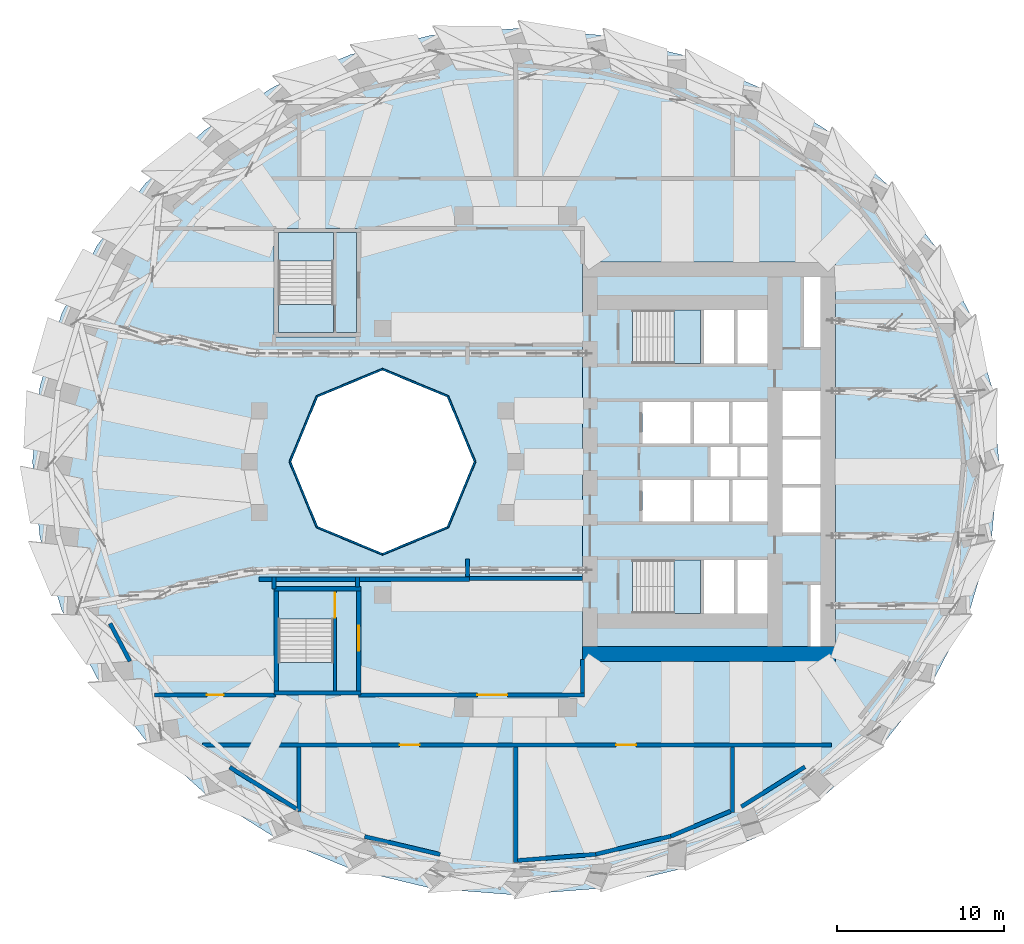
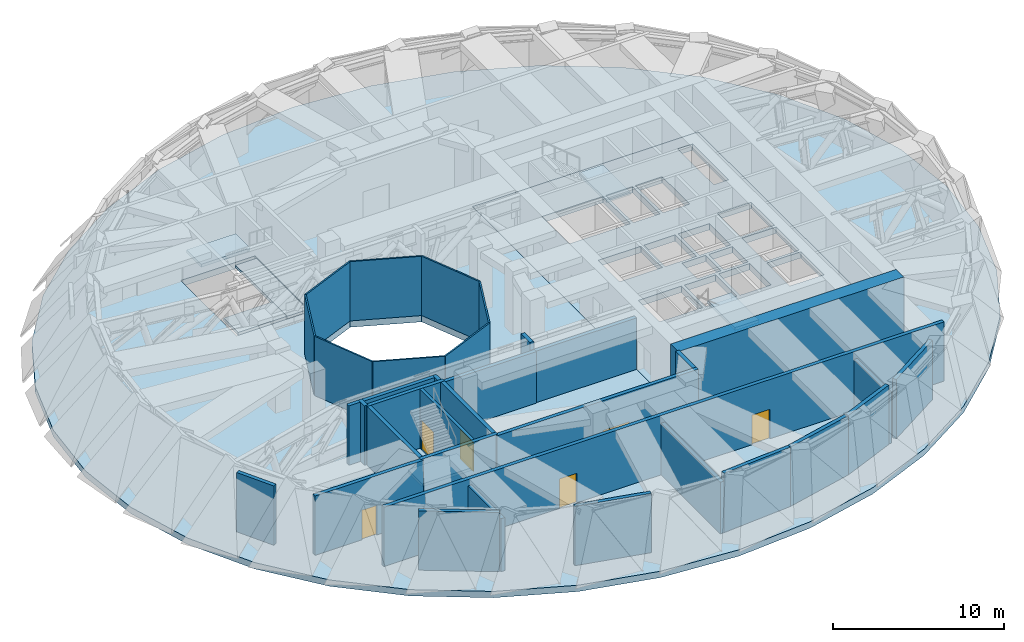
# One storey, part 7 of 15: 35 walls, 10 slabs, 6 doors, 6 openings, 4 elements without a shape of their own.
"""IFC4 building model written with IfcOpenShell, lengths in metres."""

from ifc_helpers import new_model, si_unit, direction, frame, frame_2d, origin, place, context, subcontext, project, spatial, polyline, rectangle, outline, extrude, material, layer, layer_set, type_object, element, fill, aggregate, save


model = new_model("IFC4")

# Units and contexts
model_context = context("Model", 3, precision=1e-05, world=origin(), true_north=direction((0.0, 1.0)))
body_context = subcontext(model_context, "Body", "Model", "MODEL_VIEW")
ifc_project = project(units=[si_unit("LENGTHUNIT", "METRE"), si_unit("AREAUNIT", "SQUARE_METRE"), si_unit("VOLUMEUNIT", "CUBIC_METRE"), si_unit("PLANEANGLEUNIT", "RADIAN"), si_unit("MASSUNIT", "GRAM", prefix="KILO")], contexts=[model_context])

# Site, building, storey
site_placement = place(None, origin())
site = spatial("IfcSite", under=ifc_project, at=site_placement, CompositionType="ELEMENT")
building_placement = place(site_placement, origin())
building = spatial("IfcBuilding", under=site, at=building_placement, Name="Taillehof Tower", CompositionType="ELEMENT")
storey_placement = place(building_placement, frame((0.0, 0.0, 84.39990234375)))
storey = spatial("IfcBuildingStorey", under=building, at=storey_placement, Name="L23", CompositionType="ELEMENT", Elevation=84.39990234375)

# Slabs
ifc_material_1 = material(Name="Concrete C40/50", Category="concrete")
ifc_layer_1 = layer(ifc_material_1, 0.449951171875)
ifc_layer_set_1 = layer_set([ifc_layer_1], Name="Core floor slab C40/50 450")
slab_type_1 = type_object("IfcSlabType", Name="Core floor slab C40/50 450", PredefinedType="FLOOR", material=ifc_layer_set_1)
slab_1_placement = place(storey_placement, frame((0.0, 0.0, -0.449951171875)))
element("IfcSlab", 1, at=slab_1_placement, inside=storey, type_object=slab_type_1, Name="Core floor L23", PredefinedType="FLOOR", context=body_context, shape_type="SweptSolid", body=[
    extrude(outline(polyline([(4.0, -12.0), (4.0, 12.0), (19.199951171875, 12.0), (19.199951171875, -12.0), (4.0, -12.0)]), holes=[polyline([(7.00048828125, -9.10009765625), (11.10009765625, -9.10009765625), (11.10009765625, -5.89990234375), (7.00048828125, -5.89990234375), (7.00048828125, -9.10009765625)]), polyline([(13.10009765625, -9.10009765625), (13.10009765625, -5.89990234375), (11.300048828125, -5.89990234375), (11.300048828125, -9.10009765625), (13.10009765625, -9.10009765625)]), polyline([(10.5, -3.60009765625), (10.5, -1.10009765625), (7.60009765625, -1.10009765625), (7.60009765625, -3.60009765625), (10.5, -3.60009765625)]), polyline([(12.800048828125, -3.60009765625), (12.800048828125, -1.10009765625), (10.699951171875, -1.10009765625), (10.699951171875, -3.60009765625), (12.800048828125, -3.60009765625)]), polyline([(13.300048828125, -0.89990234375), (13.300048828125, 0.89990234375), (11.699951171875, 0.89990234375), (11.699951171875, -0.89990234375), (13.300048828125, -0.89990234375)]), polyline([(10.5, 1.10009765625), (10.5, 3.60009765625), (7.60009765625, 3.60009765625), (7.60009765625, 1.10009765625), (10.5, 1.10009765625)]), polyline([(12.800048828125, 1.10009765625), (12.800048828125, 3.60009765625), (10.699951171875, 3.60009765625), (10.699951171875, 1.10009765625), (12.800048828125, 1.10009765625)]), polyline([(13.0, 1.10009765625), (15.10009765625, 1.10009765625), (15.10009765625, 3.60009765625), (13.0, 3.60009765625), (13.0, 1.10009765625)]), polyline([(11.300048828125, 5.89990234375), (13.10009765625, 5.89990234375), (13.10009765625, 9.10009765625), (11.300048828125, 9.10009765625), (11.300048828125, 5.89990234375)]), polyline([(11.10009765625, 5.89990234375), (11.10009765625, 9.10009765625), (7.00048828125, 9.10009765625), (7.00048828125, 5.89990234375), (11.10009765625, 5.89990234375)]), polyline([(18.300048828125, -11.10009765625), (18.300048828125, -7.39990234375), (17.699951171875, -7.39990234375), (17.699951171875, -11.10009765625), (18.300048828125, -11.10009765625)]), polyline([(15.10009765625, -9.10009765625), (15.10009765625, -5.89990234375), (13.300048828125, -5.89990234375), (13.300048828125, -9.10009765625), (15.10009765625, -9.10009765625)]), polyline([(16.0, -4.25), (18.300048828125, -4.25), (18.300048828125, -1.550048828125), (16.0, -1.550048828125), (16.0, -4.25)]), polyline([(13.0, -3.60009765625), (15.10009765625, -3.60009765625), (15.10009765625, -1.10009765625), (13.0, -1.10009765625), (13.0, -3.60009765625)]), polyline([(15.10009765625, -0.89990234375), (15.10009765625, 0.89990234375), (13.5, 0.89990234375), (13.5, -0.89990234375), (15.10009765625, -0.89990234375)]), polyline([(18.300048828125, -1.35009765625), (18.300048828125, 1.35009765625), (16.0, 1.35009765625), (16.0, -1.35009765625), (18.300048828125, -1.35009765625)]), polyline([(18.300048828125, 1.550048828125), (18.300048828125, 4.25), (16.0, 4.25), (16.0, 1.550048828125), (18.300048828125, 1.550048828125)]), polyline([(13.300048828125, 5.89990234375), (15.10009765625, 5.89990234375), (15.10009765625, 9.10009765625), (13.300048828125, 9.10009765625), (13.300048828125, 5.89990234375)]), polyline([(17.300048828125, 6.89990234375), (18.300048828125, 6.89990234375), (18.300048828125, 11.10009765625), (17.300048828125, 11.10009765625), (17.300048828125, 6.89990234375)])]), origin(), (0.0, 0.0, 1.0), 0.449951171875),
])
ifc_material_2 = material(Name="Concrete C40/50", Category="concrete")
ifc_layer_2 = layer(ifc_material_2, 0.449951171875)
ifc_layer_set_2 = layer_set([ifc_layer_2], Name="Floor slab 450")
slab_type_2 = type_object("IfcSlabType", Name="Floor slab 450", PredefinedType="FLOOR", material=ifc_layer_set_2)
slab_2_placement = place(storey_placement, frame((0.0, 0.0, -0.449951171875)))
element("IfcSlab", 2, at=slab_2_placement, inside=storey, type_object=slab_type_2, Name="Floor slab L23", PredefinedType="FLOOR", context=body_context, shape_type="SweptSolid", body=[
    extrude(outline(polyline([(29.0, 0.0), (28.559326171875, 4.514892578125), (27.251220703125, 8.892578125), (25.11474609375, 13.0), (22.21533203125, 16.71240234375), (18.640869140625, 19.917236328125), (14.5, 22.5166015625), (9.918701171875, 24.431884765625), (5.035888671875, 25.60498046875), (0.0, 26.0), (-5.035888671875, 25.60498046875), (-9.918701171875, 24.431884765625), (-14.5, 22.5166015625), (-18.640869140625, 19.917236328125), (-22.21533203125, 16.71240234375), (-25.11474609375, 13.0), (-27.251220703125, 8.892578125), (-28.559326171875, 4.514892578125), (-29.0, 0.0), (-28.559326171875, -4.514892578125), (-27.251220703125, -8.892578125), (-25.11474609375, -13.0), (-22.21533203125, -16.71240234375), (-18.640869140625, -19.917236328125), (-14.5, -22.5166015625), (-9.918701171875, -24.431884765625), (-5.035888671875, -25.60498046875), (0.0, -26.0), (5.035888671875, -25.60498046875), (9.918701171875, -24.431884765625), (14.5, -22.5166015625), (18.640869140625, -19.917236328125), (22.21533203125, -16.71240234375), (25.11474609375, -13.0), (27.251220703125, -8.892578125), (28.559326171875, -4.514892578125), (29.0, 0.0)]), holes=[polyline([(-14.5, -7.5), (-9.5, -7.5), (-9.5, -14.0), (-14.5, -14.0), (-14.5, -7.5)]), polyline([(-8.0, -5.5), (-11.88916015625, -3.88916015625), (-13.5, 0.0), (-11.88916015625, 3.88916015625), (-8.0, 5.5), (-4.11083984375, 3.88916015625), (-2.5, 0.0), (-4.11083984375, -3.88916015625), (-8.0, -5.5)]), polyline([(19.199951171875, 12.0), (19.199951171875, -12.0), (4.0, -12.0), (4.0, 12.0), (19.199951171875, 12.0)]), polyline([(-14.5, 14.0), (-9.5, 14.0), (-9.5, 7.5), (-14.5, 7.5), (-14.5, 14.0)])]), origin(), (0.0, 0.0, 1.0), 0.449951171875),
])

# Stair, slab
ifc_material_3 = material(Name="Concrete C40/50", Category="concrete")
stair_type = type_object("IfcStairType", Name="Exit stair half-turn", PredefinedType="HALF_TURN_STAIR", material=ifc_material_3)
stair_1_placement = place(storey_placement, origin())
stair_1 = element("IfcStair", 3, at=stair_1_placement, inside=storey, type_object=stair_type, Name="Exit stair S1", PredefinedType="HALF_TURN_STAIR")
ifc_material_4 = material(Name="Concrete C40/50", Category="concrete")
ifc_layer_3 = layer(ifc_material_4, 0.2099609375)
ifc_layer_set_3 = layer_set([ifc_layer_3], Name="Stair landing C40/50 210")
slab_type_3 = type_object("IfcSlabType", Name="Stair landing C40/50 210", PredefinedType="LANDING", material=ifc_layer_set_3)
slab_3_placement = place(storey_placement, frame((0.0, 0.0, 2.0400390625)))
slab_3 = element("IfcSlab", 4, at=slab_3_placement, type_object=slab_type_3, Name="S1 landing 1", PredefinedType="LANDING", context=body_context, shape_type="SweptSolid", body=[
    extrude(outline(polyline([(9.5, 5.89990234375), (11.10009765625, 5.89990234375), (11.10009765625, 9.10009765625), (9.5, 9.10009765625), (9.5, 5.89990234375)])), origin(), (0.0, 0.0, 1.0), 0.2099609375),
])
aggregate(stair_1, [slab_3])

stair_2_placement = place(storey_placement, origin())
stair_2 = element("IfcStair", 5, at=stair_2_placement, inside=storey, type_object=stair_type, Name="Exit stair S2", PredefinedType="HALF_TURN_STAIR")
slab_4_placement = place(storey_placement, frame((0.0, 0.0, 2.0400390625)))
slab_4 = element("IfcSlab", 6, at=slab_4_placement, type_object=slab_type_3, Name="S2 landing 1", PredefinedType="LANDING", context=body_context, shape_type="SweptSolid", body=[
    extrude(outline(polyline([(9.5, -5.89990234375), (11.10009765625, -5.89990234375), (11.10009765625, -9.10009765625), (9.5, -9.10009765625), (9.5, -5.89990234375)])), origin(), (0.0, 0.0, 1.0), 0.2099609375),
])
aggregate(stair_2, [slab_4])

stair_3_placement = place(storey_placement, origin())
stair_3 = element("IfcStair", 7, at=stair_3_placement, inside=storey, type_object=stair_type, Name="Exit stair S3", PredefinedType="HALF_TURN_STAIR")
slab_5_placement = place(storey_placement, frame((0.0, 0.0, 2.0400390625)))
slab_5 = element("IfcSlab", 8, at=slab_5_placement, type_object=slab_type_3, Name="S3 landing 1", PredefinedType="LANDING", context=body_context, shape_type="SweptSolid", body=[
    extrude(outline(polyline([(-14.25, 12.050048828125), (-14.25, 13.75), (-10.949951171875, 13.75), (-10.949951171875, 12.050048828125), (-14.25, 12.050048828125)])), origin(), (0.0, 0.0, 1.0), 0.2099609375),
])
aggregate(stair_3, [slab_5])

stair_4_placement = place(storey_placement, origin())
stair_4 = element("IfcStair", 9, at=stair_4_placement, inside=storey, type_object=stair_type, Name="Exit stair S4", PredefinedType="HALF_TURN_STAIR")
slab_6_placement = place(storey_placement, frame((0.0, 0.0, 2.0400390625)))
slab_6 = element("IfcSlab", 10, at=slab_6_placement, type_object=slab_type_3, Name="S4 landing 1", PredefinedType="LANDING", context=body_context, shape_type="SweptSolid", body=[
    extrude(outline(polyline([(-14.25, -12.050048828125), (-14.25, -13.75), (-10.949951171875, -13.75), (-10.949951171875, -12.050048828125), (-14.25, -12.050048828125)])), origin(), (0.0, 0.0, 1.0), 0.2099609375),
])
aggregate(stair_4, [slab_6])

# Slabs
slab_7_placement = place(storey_placement, frame((0.0, 0.0, -0.2099609375)))
element("IfcSlab", 11, at=slab_7_placement, inside=storey, type_object=slab_type_3, Name="Stair S3 floor landing", PredefinedType="LANDING", context=body_context, shape_type="SweptSolid", body=[
    extrude(outline(polyline([(-14.25, 7.75), (-14.25, 9.449951171875), (-10.949951171875, 9.449951171875), (-10.949951171875, 7.75), (-14.25, 7.75)])), origin(), (0.0, 0.0, 1.0), 0.2099609375),
])
slab_8_placement = place(storey_placement, frame((0.0, 0.0, -0.2099609375)))
element("IfcSlab", 12, at=slab_8_placement, inside=storey, type_object=slab_type_3, Name="Stair lobby S3 floor", PredefinedType="LANDING", context=body_context, shape_type="SweptSolid", body=[
    extrude(outline(polyline([(-10.949951171875, 7.75), (-9.550048828125, 7.75), (-9.550048828125, 13.75), (-10.949951171875, 13.75), (-10.949951171875, 7.75)])), origin(), (0.0, 0.0, 1.0), 0.2099609375),
])
slab_9_placement = place(storey_placement, frame((0.0, 0.0, -0.2099609375)))
element("IfcSlab", 13, at=slab_9_placement, inside=storey, type_object=slab_type_3, Name="Stair S4 floor landing", PredefinedType="LANDING", context=body_context, shape_type="SweptSolid", body=[
    extrude(outline(polyline([(-14.25, -7.75), (-14.25, -9.449951171875), (-10.949951171875, -9.449951171875), (-10.949951171875, -7.75), (-14.25, -7.75)])), origin(), (0.0, 0.0, 1.0), 0.2099609375),
])
slab_10_placement = place(storey_placement, frame((0.0, 0.0, -0.2099609375)))
element("IfcSlab", 14, at=slab_10_placement, inside=storey, type_object=slab_type_3, Name="Stair lobby S4 floor", PredefinedType="LANDING", context=body_context, shape_type="SweptSolid", body=[
    extrude(outline(polyline([(-10.949951171875, -13.75), (-9.550048828125, -13.75), (-9.550048828125, -7.75), (-10.949951171875, -7.75), (-10.949951171875, -13.75)])), origin(), (0.0, 0.0, 1.0), 0.2099609375),
])

# Walls
ifc_material_5 = material(Name="Fire-resisting glass in steel frame", Category="steel")
ifc_layer_4 = layer(ifc_material_5, 0.10009765625)
ifc_layer_set_4 = layer_set([ifc_layer_4], Name="Atrium fire-resisting screen EI 60 100")
wall_type_1 = type_object("IfcWallType", Name="Atrium fire-resisting screen EI 60 100", PredefinedType="PARTITIONING", material=ifc_layer_set_4)
for number, where, z_axis, x_axis, name in (
    (15, (-2.44580078125, 0.0, 0.0), (0.0, 0.0, 1.0), (-0.382730523909, -0.923860025149, 0.0), "Atrium screen"),
    (16, (-4.07275390625, -3.92724609375, 0.0), (0.0, 0.0, 1.0), (-0.923860025149, -0.382730523909, 0.0), "Atrium screen"),
    (17, (-8.0, -5.55419921875, 0.0), (0.0, 0.0, 1.0), (-0.923860025149, 0.382730523909, 0.0), "Atrium screen"),
    (18, (-11.92724609375, -3.92724609375, 0.0), (0.0, 0.0, 1.0), (-0.382730523909, 0.923860025149, 0.0), "Atrium screen"),
    (19, (-13.55419921875, 0.0, 0.0), (0.0, 0.0, 1.0), (0.382730523909, 0.923860025149, 0.0), "Atrium screen"),
    (20, (-11.92724609375, 3.92724609375, 0.0), (0.0, 0.0, 1.0), (0.923860025149, 0.382730523909, 0.0), "Atrium screen"),
    (21, (-8.0, 5.55419921875, 0.0), (0.0, 0.0, 1.0), (0.923860025149, -0.382730523909, 0.0), "Atrium screen"),
    (22, (-4.07275390625, 3.92724609375, 0.0), (0.0, 0.0, 1.0), (0.382730523909, -0.923860025149, 0.0), "Atrium screen"),
):
    element("IfcWall", number, at=place(storey_placement, frame(where, z_axis=z_axis, x_axis=x_axis)), inside=storey, type_object=wall_type_1, Name=name, PredefinedType="PARTITIONING", context=body_context, shape_type="SweptSolid", body=[
        extrude(rectangle(XDim=4.2509765625, YDim=0.10009765625, at=frame_2d((2.12548828125, 0.0))), origin(), (0.0, 0.0, 1.0), 4.22021484375),
    ])
ifc_material_6 = material(Name="Concrete C80/95", Category="concrete")
ifc_layer_5 = layer(ifc_material_6, 0.89990234375)
ifc_layer_set_5 = layer_set([ifc_layer_5], Name="Core wall C80/95 900")
wall_type_2 = type_object("IfcWallType", Name="Core wall C80/95 900", PredefinedType="SHEAR", material=ifc_layer_set_5)
wall_1_placement = place(storey_placement, frame((4.0, -11.550048828125, 0.0), z_axis=(0.0, 0.0, 1.0), x_axis=(1.0, 0.0, 0.0)))
element("IfcWall", 23, at=wall_1_placement, inside=storey, type_object=wall_type_2, Name="Core wall CW04", PredefinedType="SHEAR", context=body_context, shape_type="SweptSolid", body=[
    extrude(rectangle(XDim=15.199951171875, YDim=0.89990234375, at=frame_2d((7.60009765625, 0.0))), origin(), (0.0, 0.0, 1.0), 4.22021484375),
])
ifc_material_7 = material(Name="Calcium silicate blockwork", Category="masonry")
ifc_layer_6 = layer(ifc_material_7, 0.25)
ifc_layer_set_6 = layer_set([ifc_layer_6], Name="Fire-resisting wall EI 120 250 mm")
wall_type_3 = type_object("IfcWallType", Name="Fire-resisting wall EI 120 250 mm", PredefinedType="PARTITIONING", material=ifc_layer_set_6)
wall_2_placement = place(storey_placement, frame((-17.166259765625, -18.3330078125, 0.0), z_axis=(0.0, 0.0, 1.0), x_axis=(0.848477460484, -0.529231517438, 0.0)))
element("IfcWall", 24, at=wall_2_placement, inside=storey, type_object=wall_type_3, Name="Wall TRB / L23-10", PredefinedType="PARTITIONING", context=body_context, shape_type="SweptSolid", body=[
    extrude(rectangle(XDim=4.748291015625, YDim=0.25, at=frame_2d((2.3740234375, 0.0))), origin(), (0.0, 0.0, 1.0), 4.22021484375),
])
wall_3_placement = place(storey_placement, frame((-9.072509765625, -22.493408203125, 0.0), z_axis=(0.0, 0.0, 1.0), x_axis=(0.972870834261, -0.231348956871, 0.0)))
element("IfcWall", 25, at=wall_3_placement, inside=storey, type_object=wall_type_3, Name="Wall TRB / L23-11", PredefinedType="PARTITIONING", context=body_context, shape_type="SweptSolid", body=[
    extrude(rectangle(XDim=4.6591796875, YDim=0.25, at=frame_2d((2.32958984375, 0.0))), origin(), (0.0, 0.0, 1.0), 4.22021484375),
])
wall_4_placement = place(storey_placement, frame((0.11572265625, -23.931640625, 0.0), z_axis=(0.0, 0.0, 1.0), x_axis=(0.996843157294, 0.07939596814, 0.0)))
element("IfcWall", 26, at=wall_4_placement, inside=storey, type_object=wall_type_3, Name="Wall TRB / L23-12", PredefinedType="PARTITIONING", context=body_context, shape_type="SweptSolid", body=[
    extrude(rectangle(XDim=4.695556640625, YDim=0.25, at=frame_2d((2.34765625, 0.0))), origin(), (0.0, 0.0, 1.0), 4.22021484375),
])
wall_5_placement = place(storey_placement, frame((4.79638671875, -23.558837890625, 0.0), z_axis=(0.0, 0.0, 1.0), x_axis=(0.972161129626, 0.234313333049, 0.0)))
element("IfcWall", 27, at=wall_5_placement, inside=storey, type_object=wall_type_3, Name="Wall TRB / L23-12", PredefinedType="PARTITIONING", context=body_context, shape_type="SweptSolid", body=[
    extrude(rectangle(XDim=4.64404296875, YDim=0.25, at=frame_2d((2.322021484375, 0.0))), origin(), (0.0, 0.0, 1.0), 4.22021484375),
])
wall_6_placement = place(storey_placement, frame((9.31103515625, -22.470703125, 0.0), z_axis=(0.0, 0.0, 1.0), x_axis=(0.922523740544, 0.385940342713, 0.0)))
element("IfcWall", 28, at=wall_6_placement, inside=storey, type_object=wall_type_3, Name="Wall TRB / L23-12", PredefinedType="PARTITIONING", context=body_context, shape_type="SweptSolid", body=[
    extrude(rectangle(XDim=3.884765625, YDim=0.25, at=frame_2d((1.9423828125, 0.0))), origin(), (0.0, 0.0, 1.0), 4.22021484375),
])
wall_7_placement = place(storey_placement, frame((13.5400390625, -20.70166015625, 0.0), z_axis=(0.0, 0.0, 1.0), x_axis=(0.847150506273, 0.531353008574, 0.0)))
element("IfcWall", 29, at=wall_7_placement, inside=storey, type_object=wall_type_3, Name="Wall TRB / L23-13", PredefinedType="PARTITIONING", context=body_context, shape_type="SweptSolid", body=[
    extrude(rectangle(XDim=4.503173828125, YDim=0.25, at=frame_2d((2.25146484375, 0.0))), origin(), (0.0, 0.0, 1.0), 4.22021484375),
])
wall_8_placement = place(storey_placement, frame((-24.34814453125, -9.699951171875, 0.0), z_axis=(0.0, 0.0, 1.0), x_axis=(0.46384696326, -0.885915342837, 0.0)))
element("IfcWall", 30, at=wall_8_placement, inside=storey, type_object=wall_type_3, Name="Wall TRB / L23-15", PredefinedType="PARTITIONING", context=body_context, shape_type="SweptSolid", body=[
    extrude(rectangle(XDim=2.5654296875, YDim=0.25, at=frame_2d((1.28271484375, 0.0))), origin(), (0.0, 0.0, 1.0), 4.22021484375),
])

# Wall, openings, doors
wall_9_placement = place(storey_placement, frame((-18.787841796875, -17.0, 0.0), z_axis=(0.0, 0.0, 1.0), x_axis=(1.0, 0.0, 0.0)))
wall_9 = element("IfcWall", 31, at=wall_9_placement, inside=storey, type_object=wall_type_3, Name="Wall L23-05 / L23-10", PredefinedType="PARTITIONING", context=body_context, shape_type="SweptSolid", body=[
    extrude(rectangle(XDim=37.730224609375, YDim=0.25, at=frame_2d((18.865234375, 0.0))), origin(), (0.0, 0.0, 1.0), 4.22021484375),
])
opening_1_placement = place(wall_9_placement, frame((11.81298828125, 0.0, 0.0)))
opening_1 = element("IfcOpeningElement", 32, at=opening_1_placement, cuts=wall_9, Name="Opening D2341", PredefinedType="OPENING", context=body_context, shape_type="SweptSolid", body=[
    extrude(rectangle(XDim=1.199951171875, YDim=2.10009765625, at=frame_2d((0.60009765625, 1.050048828125))), frame((0.0, 0.135009765625, 0.0), z_axis=(0.0, -1.0, 0.0), x_axis=(1.0, 0.0, 0.0)), (0.0, 0.0, 1.0), 0.27001953125),
])
opening_2_placement = place(wall_9_placement, frame((24.81298828125, 0.0, 0.0)))
opening_2 = element("IfcOpeningElement", 33, at=opening_2_placement, cuts=wall_9, Name="Opening D2342", PredefinedType="OPENING", context=body_context, shape_type="SweptSolid", body=[
    extrude(rectangle(XDim=1.199951171875, YDim=2.10009765625, at=frame_2d((0.60009765625, 1.050048828125))), frame((0.0, 0.135009765625, 0.0), z_axis=(0.0, -1.0, 0.0), x_axis=(1.0, 0.0, 0.0)), (0.0, 0.0, 1.0), 0.27001953125),
])
ifc_material_8 = material(Name="Hollow metal door set")
door_type_1 = type_object("IfcDoorType", Name="Single door 1200 x 2100 FD120S", OperationType="SINGLE_SWING_LEFT", PredefinedType="DOOR", material=ifc_material_8)
door_1_placement = place(opening_1_placement, origin())
door_1 = element("IfcDoor", 34, at=door_1_placement, inside=storey, type_object=door_type_1, Name="Door D2341", OperationType="SINGLE_SWING_RIGHT", OverallHeight=2.10009765625, OverallWidth=1.199951171875, PredefinedType="DOOR", context=body_context, shape_type="SweptSolid", body=[
    extrude(rectangle(XDim=1.199951171875, YDim=2.10009765625, at=frame_2d((0.60009765625, 1.050048828125))), frame((0.0, 0.02490234375, 0.0), z_axis=(0.0, -1.0, 0.0), x_axis=(1.0, 0.0, 0.0)), (0.0, 0.0, 1.0), 0.050048828125),
])
fill(opening_1, door_1)
door_2_placement = place(opening_2_placement, origin())
door_2 = element("IfcDoor", 35, at=door_2_placement, inside=storey, type_object=door_type_1, Name="Door D2342", OperationType="SINGLE_SWING_LEFT", OverallHeight=2.10009765625, OverallWidth=1.199951171875, PredefinedType="DOOR", context=body_context, shape_type="SweptSolid", body=[
    extrude(rectangle(XDim=1.199951171875, YDim=2.10009765625, at=frame_2d((0.60009765625, 1.050048828125))), frame((0.0, 0.02490234375, 0.0), z_axis=(0.0, -1.0, 0.0), x_axis=(1.0, 0.0, 0.0)), (0.0, 0.0, 1.0), 0.050048828125),
])
fill(opening_2, door_2)

# Wall, opening, door
wall_10_placement = place(storey_placement, frame((-21.68994140625, -14.0, 0.0), z_axis=(0.0, 0.0, 1.0), x_axis=(1.0, 0.0, 0.0)))
wall_10 = element("IfcWall", 36, at=wall_10_placement, inside=storey, type_object=wall_type_3, Name="Wall L23-05 / L23-15", PredefinedType="PARTITIONING", context=body_context, shape_type="SweptSolid", body=[
    extrude(rectangle(XDim=7.31494140625, YDim=0.25, at=frame_2d((3.657470703125, 0.0))), origin(), (0.0, 0.0, 1.0), 4.22021484375),
])
opening_3_placement = place(wall_10_placement, frame((3.157958984375, 0.0, 0.0)))
opening_3 = element("IfcOpeningElement", 37, at=opening_3_placement, cuts=wall_10, Name="Opening D2343", PredefinedType="OPENING", context=body_context, shape_type="SweptSolid", body=[
    extrude(rectangle(XDim=1.0, YDim=2.10009765625, at=frame_2d((0.5, 1.050048828125))), frame((0.0, 0.135009765625, 0.0), z_axis=(0.0, -1.0, 0.0), x_axis=(1.0, 0.0, 0.0)), (0.0, 0.0, 1.0), 0.27001953125),
])
ifc_material_9 = material(Name="Hollow metal door set")
door_type_2 = type_object("IfcDoorType", Name="Single door 1000 x 2100 FD120S", OperationType="SINGLE_SWING_LEFT", PredefinedType="DOOR", material=ifc_material_9)
door_3_placement = place(opening_3_placement, origin())
door_3 = element("IfcDoor", 38, at=door_3_placement, inside=storey, type_object=door_type_2, Name="Door D2343", OperationType="SINGLE_SWING_RIGHT", OverallHeight=2.10009765625, OverallWidth=1.0, PredefinedType="DOOR", context=body_context, shape_type="SweptSolid", body=[
    extrude(rectangle(XDim=1.0, YDim=2.10009765625, at=frame_2d((0.5, 1.050048828125))), frame((0.0, 0.02490234375, 0.0), z_axis=(0.0, -1.0, 0.0), x_axis=(1.0, 0.0, 0.0)), (0.0, 0.0, 1.0), 0.050048828125),
])
fill(opening_3, door_3)

wall_11_placement = place(storey_placement, frame((-9.425048828125, -14.0, 0.0), z_axis=(0.0, 0.0, 1.0), x_axis=(1.0, 0.0, 0.0)))
wall_11 = element("IfcWall", 39, at=wall_11_placement, inside=storey, type_object=wall_type_3, Name="Wall L23-02 / L23-05", PredefinedType="PARTITIONING", context=body_context, shape_type="SweptSolid", body=[
    extrude(rectangle(XDim=13.550048828125, YDim=0.25, at=frame_2d((6.77490234375, 0.0))), origin(), (0.0, 0.0, 1.0), 4.22021484375),
])
opening_4_placement = place(wall_11_placement, frame((7.125, 0.0, 0.0)))
opening_4 = element("IfcOpeningElement", 40, at=opening_4_placement, cuts=wall_11, Name="Opening D2344", PredefinedType="OPENING", context=body_context, shape_type="SweptSolid", body=[
    extrude(rectangle(XDim=1.800048828125, YDim=2.10009765625, at=frame_2d((0.89990234375, 1.050048828125))), frame((0.0, 0.135009765625, 0.0), z_axis=(0.0, -1.0, 0.0), x_axis=(1.0, 0.0, 0.0)), (0.0, 0.0, 1.0), 0.27001953125),
])
ifc_material_10 = material(Name="Hollow metal door set")
door_type_3 = type_object("IfcDoorType", Name="Double door 1800 x 2100 FD120S", OperationType="DOUBLE_DOOR_SINGLE_SWING", PredefinedType="DOOR", material=ifc_material_10)
door_4_placement = place(opening_4_placement, origin())
door_4 = element("IfcDoor", 41, at=door_4_placement, inside=storey, type_object=door_type_3, Name="Door D2344", OperationType="DOUBLE_DOOR_SINGLE_SWING", OverallHeight=2.10009765625, OverallWidth=1.800048828125, PredefinedType="DOOR", context=body_context, shape_type="SweptSolid", body=[
    extrude(rectangle(XDim=1.800048828125, YDim=2.10009765625, at=frame_2d((0.89990234375, 1.050048828125))), frame((0.0, 0.02490234375, 0.0), z_axis=(0.0, -1.0, 0.0), x_axis=(1.0, 0.0, 0.0)), (0.0, 0.0, 1.0), 0.050048828125),
])
fill(opening_4, door_4)

# Walls
wall_12_placement = place(storey_placement, frame((-15.402099609375, -7.050048828125, 0.0), z_axis=(0.0, 0.0, 1.0), x_axis=(1.0, 0.0, 0.0)))
element("IfcWall", 42, at=wall_12_placement, inside=storey, type_object=wall_type_3, Name="Wall TROT6 / L23-15", PredefinedType="PARTITIONING", context=body_context, shape_type="SweptSolid", body=[
    extrude(rectangle(XDim=0.777099609375, YDim=0.25, at=frame_2d((0.388671875, 0.0))), origin(), (0.0, 0.0, 1.0), 4.22021484375),
])
wall_13_placement = place(storey_placement, frame((-14.375, -7.050048828125, 0.0), z_axis=(0.0, 0.0, 1.0), x_axis=(1.0, 0.0, 0.0)))
element("IfcWall", 43, at=wall_13_placement, inside=storey, type_object=wall_type_3, Name="Wall TROT6 / L23-16", PredefinedType="PARTITIONING", context=body_context, shape_type="SweptSolid", body=[
    extrude(rectangle(XDim=4.75, YDim=0.25, at=frame_2d((2.375, 0.0))), origin(), (0.0, 0.0, 1.0), 4.22021484375),
])
wall_14_placement = place(storey_placement, frame((-9.375, -7.050048828125, 0.0), z_axis=(0.0, 0.0, 1.0), x_axis=(1.0, 0.0, 0.0)))
element("IfcWall", 44, at=wall_14_placement, inside=storey, type_object=wall_type_3, Name="Wall TROT6 / L23-02", PredefinedType="PARTITIONING", context=body_context, shape_type="SweptSolid", body=[
    extrude(rectangle(XDim=6.60009765625, YDim=0.25, at=frame_2d((3.300048828125, 0.0))), origin(), (0.0, 0.0, 1.0), 3.670166015625),
])
wall_15_placement = place(storey_placement, frame((-3.02490234375, -7.0, 0.0), z_axis=(0.0, 0.0, 1.0), x_axis=(1.0, 0.0, 0.0)))
element("IfcWall", 45, at=wall_15_placement, inside=storey, type_object=wall_type_3, Name="Wall L23-02 / L23-03", PredefinedType="PARTITIONING", context=body_context, shape_type="SweptSolid", body=[
    extrude(rectangle(XDim=7.02685546875, YDim=0.25, at=frame_2d((3.513427734375, 0.0))), origin(), (0.0, 0.0, 1.0), 3.670166015625),
])
wall_16_placement = place(storey_placement, frame((-14.5, -7.625, 0.0), z_axis=(0.0, 0.0, 1.0), x_axis=(0.0, 1.0, 0.0)))
element("IfcWall", 46, at=wall_16_placement, inside=storey, type_object=wall_type_3, Name="Wall L23-15 / L23-16", PredefinedType="PARTITIONING", context=body_context, shape_type="SweptSolid", body=[
    extrude(rectangle(XDim=0.699951171875, YDim=0.25, at=frame_2d((0.35009765625, 0.0))), origin(), (0.0, 0.0, 1.0), 4.22021484375),
])
wall_17_placement = place(storey_placement, frame((-13.0, -20.989013671875, 0.0), z_axis=(0.0, 0.0, 1.0), x_axis=(0.0, 1.0, 0.0)))
element("IfcWall", 47, at=wall_17_placement, inside=storey, type_object=wall_type_3, Name="Wall L23-10 / L23-11", PredefinedType="PARTITIONING", context=body_context, shape_type="SweptSolid", body=[
    extrude(rectangle(XDim=3.864013671875, YDim=0.25, at=frame_2d((1.93212890625, 0.0))), origin(), (0.0, 0.0, 1.0), 3.77001953125),
])
wall_18_placement = place(storey_placement, frame((-9.5, -7.501953125, 0.0), z_axis=(0.0, 0.0, 1.0), x_axis=(0.0, 1.0, 0.0)))
element("IfcWall", 48, at=wall_18_placement, inside=storey, type_object=wall_type_3, Name="Wall L23-02 / L23-16", PredefinedType="PARTITIONING", context=body_context, shape_type="SweptSolid", body=[
    extrude(rectangle(XDim=0.576904296875, YDim=0.25, at=frame_2d((0.28857421875, 0.0))), origin(), (0.0, 0.0, 1.0), 4.22021484375),
])
wall_19_placement = place(storey_placement, frame((-2.89990234375, -6.875, 0.0), z_axis=(0.0, 0.0, 1.0), x_axis=(0.0, 1.0, 0.0)))
element("IfcWall", 49, at=wall_19_placement, inside=storey, type_object=wall_type_3, Name="Wall TROT6 / L23-03", PredefinedType="PARTITIONING", context=body_context, shape_type="SweptSolid", body=[
    extrude(rectangle(XDim=1.050048828125, YDim=0.25, at=frame_2d((0.52490234375, 0.0))), origin(), (0.0, 0.0, 1.0), 4.22021484375),
])
wall_20_placement = place(storey_placement, frame((0.0, -24.04541015625, 0.0), z_axis=(0.0, 0.0, 1.0), x_axis=(0.0, 1.0, 0.0)))
element("IfcWall", 50, at=wall_20_placement, inside=storey, type_object=wall_type_3, Name="Wall L23-11 / L23-12", PredefinedType="PARTITIONING", context=body_context, shape_type="SweptSolid", body=[
    extrude(rectangle(XDim=6.92041015625, YDim=0.25, at=frame_2d((3.460205078125, 0.0))), origin(), (0.0, 0.0, 1.0), 3.670166015625),
])
wall_21_placement = place(storey_placement, frame((4.0, -13.875, 0.0), z_axis=(0.0, 0.0, 1.0), x_axis=(0.0, 1.0, 0.0)))
element("IfcWall", 51, at=wall_21_placement, inside=storey, type_object=wall_type_3, Name="Wall L23-02 / L23-05", PredefinedType="PARTITIONING", context=body_context, shape_type="SweptSolid", body=[
    extrude(rectangle(XDim=2.0, YDim=0.25, at=frame_2d((1.0, 0.0))), origin(), (0.0, 0.0, 1.0), 4.22021484375),
])
wall_22_placement = place(storey_placement, frame((13.0, -21.052490234375, 0.0), z_axis=(0.0, 0.0, 1.0), x_axis=(0.0, 1.0, 0.0)))
element("IfcWall", 52, at=wall_22_placement, inside=storey, type_object=wall_type_3, Name="Wall L23-12 / L23-13", PredefinedType="PARTITIONING", context=body_context, shape_type="SweptSolid", body=[
    extrude(rectangle(XDim=3.927490234375, YDim=0.25, at=frame_2d((1.9638671875, 0.0))), origin(), (0.0, 0.0, 1.0), 3.670166015625),
])

# Wall, opening, door
ifc_material_11 = material(Name="Concrete C50/60", Category="concrete")
ifc_layer_7 = layer(ifc_material_11, 0.199951171875)
ifc_layer_set_7 = layer_set([ifc_layer_7], Name="Shaft wall C50/60 200")
wall_type_4 = type_object("IfcWallType", Name="Shaft wall C50/60 200", PredefinedType="SHEAR", material=ifc_layer_set_7)
wall_23_placement = place(storey_placement, frame((-10.85009765625, -13.75, 0.0), z_axis=(0.0, 0.0, 1.0), x_axis=(0.0, 1.0, 0.0)))
wall_23 = element("IfcWall", 53, at=wall_23_placement, inside=storey, type_object=wall_type_4, Name="Shaft wall SW", PredefinedType="SHEAR", context=body_context, shape_type="SweptSolid", body=[
    extrude(rectangle(XDim=6.0, YDim=0.199951171875, at=frame_2d((3.0, 0.0))), origin(), (0.0, 0.0, 1.0), 4.22021484375),
])
opening_5_placement = place(wall_23_placement, frame((4.39990234375, 0.0, 0.0)))
opening_5 = element("IfcOpeningElement", 54, at=opening_5_placement, cuts=wall_23, Name="Opening D2311", PredefinedType="OPENING", context=body_context, shape_type="SweptSolid", body=[
    extrude(rectangle(XDim=1.5, YDim=2.10009765625, at=frame_2d((0.75, 1.050048828125))), frame((0.0, 0.10986328125, 0.0), z_axis=(0.0, -1.0, 0.0), x_axis=(1.0, 0.0, 0.0)), (0.0, 0.0, 1.0), 0.219970703125),
])
ifc_material_12 = material(Name="Steel-faced fire door", Category="steel")
door_type_4 = type_object("IfcDoorType", Name="Stair door 1500x2100", OperationType="DOUBLE_DOOR_SINGLE_SWING", PredefinedType="DOOR", material=ifc_material_12)
door_5_placement = place(opening_5_placement, origin())
door_5 = element("IfcDoor", 55, at=door_5_placement, inside=storey, type_object=door_type_4, Name="Stair lobby door S4", OperationType="DOUBLE_DOOR_SINGLE_SWING", OverallHeight=2.10009765625, OverallWidth=1.5, PredefinedType="DOOR", context=body_context, shape_type="SweptSolid", body=[
    extrude(rectangle(XDim=1.5, YDim=2.10009765625, at=frame_2d((0.75, 1.050048828125))), frame((0.0, 0.02490234375, 0.0), z_axis=(0.0, -1.0, 0.0), x_axis=(1.0, 0.0, 0.0)), (0.0, 0.0, 1.0), 0.050048828125),
])
fill(opening_5, door_5)

# Wall
ifc_material_13 = material(Name="Concrete C50/60", Category="concrete")
ifc_layer_8 = layer(ifc_material_13, 0.25)
ifc_layer_set_8 = layer_set([ifc_layer_8], Name="Stair wall C50/60 250")
wall_type_5 = type_object("IfcWallType", Name="Stair wall C50/60 250", PredefinedType="SHEAR", material=ifc_layer_set_8)
wall_24_placement = place(storey_placement, frame((-14.375, -13.75, -0.449951171875), z_axis=(0.0, 0.0, 1.0), x_axis=(0.0, 1.0, 0.0)))
element("IfcWall", 56, at=wall_24_placement, inside=storey, type_object=wall_type_5, Name="Stair wall SC", PredefinedType="SHEAR", context=body_context, shape_type="SweptSolid", body=[
    extrude(rectangle(XDim=6.0, YDim=0.25, at=frame_2d((3.0, 0.0))), origin(), (0.0, 0.0, 1.0), 4.670166015625),
])

# Wall, opening, door
wall_25_placement = place(storey_placement, frame((-9.425048828125, -13.75, -0.449951171875), z_axis=(0.0, 0.0, 1.0), x_axis=(0.0, 1.0, 0.0)))
wall_25 = element("IfcWall", 57, at=wall_25_placement, inside=storey, type_object=wall_type_5, Name="Stair wall SC", PredefinedType="SHEAR", context=body_context, shape_type="SweptSolid", body=[
    extrude(rectangle(XDim=6.0, YDim=0.25, at=frame_2d((3.0, 0.0))), origin(), (0.0, 0.0, 1.0), 4.670166015625),
])
opening_6_placement = place(wall_25_placement, frame((2.39990234375, 0.0, 0.449951171875)))
opening_6 = element("IfcOpeningElement", 58, at=opening_6_placement, cuts=wall_25, Name="Opening D2318", PredefinedType="OPENING", context=body_context, shape_type="SweptSolid", body=[
    extrude(rectangle(XDim=1.5, YDim=2.10009765625, at=frame_2d((0.75, 1.050048828125))), frame((0.0, 0.135009765625, 0.0), z_axis=(0.0, -1.0, 0.0), x_axis=(1.0, 0.0, 0.0)), (0.0, 0.0, 1.0), 0.27001953125),
])
door_6_placement = place(opening_6_placement, origin())
door_6 = element("IfcDoor", 59, at=door_6_placement, inside=storey, type_object=door_type_4, Name="Stair door S4", OperationType="DOUBLE_DOOR_SINGLE_SWING", OverallHeight=2.10009765625, OverallWidth=1.5, PredefinedType="DOOR", context=body_context, shape_type="SweptSolid", body=[
    extrude(rectangle(XDim=1.5, YDim=2.10009765625, at=frame_2d((0.75, 1.050048828125))), frame((0.0, 0.02490234375, 0.0), z_axis=(0.0, -1.0, 0.0), x_axis=(1.0, 0.0, 0.0)), (0.0, 0.0, 1.0), 0.050048828125),
])
fill(opening_6, door_6)

# Walls
for number, where, z_axis, x_axis, name in (
    (60, (-14.5, -7.625, -0.449951171875), (0.0, 0.0, 1.0), (1.0, 0.0, 0.0), "Stair wall SC"),
    (61, (-14.5, -13.875, -0.449951171875), (0.0, 0.0, 1.0), (1.0, 0.0, 0.0), "Stair wall SC"),
):
    element("IfcWall", number, at=place(storey_placement, frame(where, z_axis=z_axis, x_axis=x_axis)), inside=storey, type_object=wall_type_5, Name=name, PredefinedType="SHEAR", context=body_context, shape_type="SweptSolid", body=[
        extrude(rectangle(XDim=5.199951171875, YDim=0.25, at=frame_2d((2.60009765625, 0.0))), origin(), (0.0, 0.0, 1.0), 4.670166015625),
    ])

save(model, "model.ifc")
